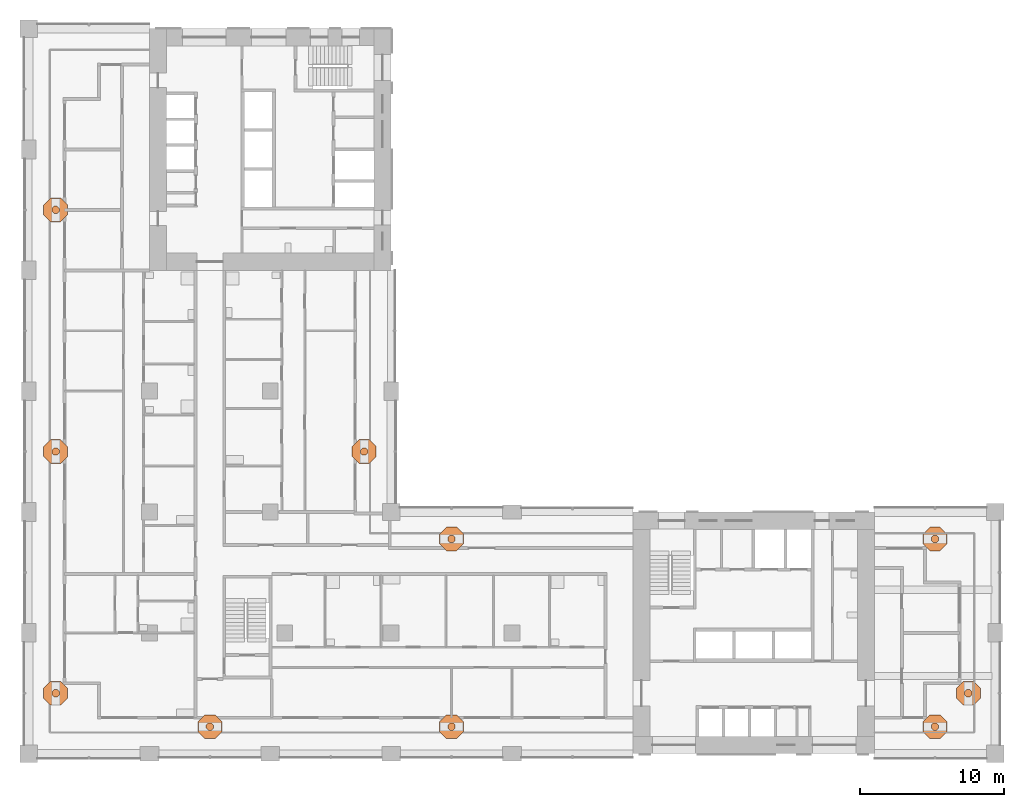
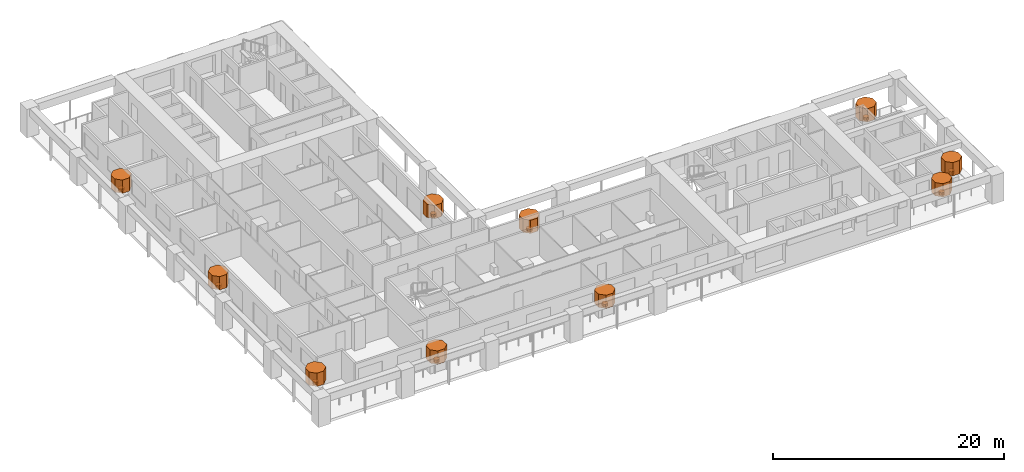
# One storey, part 18 of 18: 20 geographic elements.
"""IFC4 building model written with IfcOpenShell, lengths in metres."""

from ifc_helpers import new_model, si_unit, direction, frame, origin, place, context, subcontext, project, spatial, polyline, outline, extrude, material, element, save


model = new_model("IFC4")

# Units and contexts
model_context = context("Model", 3, precision=1e-05, world=origin(), true_north=direction((0.0, 1.0)))
body_context = subcontext(model_context, "Body", "Model", "MODEL_VIEW")
ifc_project = project(units=[si_unit("LENGTHUNIT", "METRE"), si_unit("AREAUNIT", "SQUARE_METRE"), si_unit("VOLUMEUNIT", "CUBIC_METRE"), si_unit("PLANEANGLEUNIT", "RADIAN"), si_unit("MASSUNIT", "GRAM", prefix="KILO")], contexts=[model_context])

# Site, building, storey
site_placement = place(None, origin())
site = spatial("IfcSite", under=ifc_project, at=site_placement, CompositionType="ELEMENT")
building_placement = place(site_placement, origin())
building = spatial("IfcBuilding", under=site, at=building_placement, Name="Vermilion Gate Residences", CompositionType="ELEMENT")
storey_placement = place(building_placement, frame((0.0, 0.0, 137.199951171875)))
storey = spatial("IfcBuildingStorey", under=building, at=storey_placement, Name="L35", CompositionType="ELEMENT", Elevation=137.199951171875)

# Geographic elements
ifc_material = material(Name="Foliage")
geographic_element_1_placement = place(storey_placement, frame((0.0, 0.0, 0.900146484375)))
element("IfcGeographicElement", 1, at=geographic_element_1_placement, inside=storey, material=ifc_material, Name="Tree (black pine)", ObjectType="TREE", PredefinedType="USERDEFINED", context=body_context, shape_type="SweptSolid", body=[
    extrude(outline(polyline([(12.85400390625, 10.380126953125), (12.705078125, 10.529052734375), (12.494873046875, 10.529052734375), (12.345947265625, 10.380126953125), (12.345947265625, 10.169921875), (12.494873046875, 10.02099609375), (12.705078125, 10.02099609375), (12.85400390625, 10.169921875), (12.85400390625, 10.380126953125)])), origin(), (0.0, 0.0, 1.0), 0.2998046875),
])
geographic_element_2_placement = place(storey_placement, frame((0.0, 0.0, 1.199951171875)))
element("IfcGeographicElement", 2, at=geographic_element_2_placement, inside=storey, material=ifc_material, Name="Tree crown (black pine)", ObjectType="TREE", PredefinedType="USERDEFINED", context=body_context, shape_type="SweptSolid", body=[
    extrude(outline(polyline([(13.431396484375, 10.619384765625), (12.9443359375, 11.1064453125), (12.255615234375, 11.1064453125), (11.7685546875, 10.619384765625), (11.7685546875, 9.9306640625), (12.255615234375, 9.443603515625), (12.9443359375, 9.443603515625), (13.431396484375, 9.9306640625), (13.431396484375, 10.619384765625)])), origin(), (0.0, 0.0, 1.0), 1.400146484375),
])
geographic_element_3_placement = place(storey_placement, frame((0.0, 0.0, 0.900146484375)))
element("IfcGeographicElement", 3, at=geographic_element_3_placement, inside=storey, material=ifc_material, Name="Tree (maple)", ObjectType="TREE", PredefinedType="USERDEFINED", context=body_context, shape_type="SweptSolid", body=[
    extrude(outline(polyline([(29.654052734375, 10.380126953125), (29.505126953125, 10.529052734375), (29.294921875, 10.529052734375), (29.14599609375, 10.380126953125), (29.14599609375, 10.169921875), (29.294921875, 10.02099609375), (29.505126953125, 10.02099609375), (29.654052734375, 10.169921875), (29.654052734375, 10.380126953125)])), origin(), (0.0, 0.0, 1.0), 0.2998046875),
])
geographic_element_4_placement = place(storey_placement, frame((0.0, 0.0, 1.199951171875)))
element("IfcGeographicElement", 4, at=geographic_element_4_placement, inside=storey, material=ifc_material, Name="Tree crown (maple)", ObjectType="TREE", PredefinedType="USERDEFINED", context=body_context, shape_type="SweptSolid", body=[
    extrude(outline(polyline([(30.2314453125, 10.619384765625), (29.744384765625, 11.1064453125), (29.0556640625, 11.1064453125), (28.568603515625, 10.619384765625), (28.568603515625, 9.9306640625), (29.0556640625, 9.443603515625), (29.744384765625, 9.443603515625), (30.2314453125, 9.9306640625), (30.2314453125, 10.619384765625)])), origin(), (0.0, 0.0, 1.0), 1.400146484375),
])
geographic_element_5_placement = place(storey_placement, frame((0.0, 0.0, 0.900146484375)))
element("IfcGeographicElement", 5, at=geographic_element_5_placement, inside=storey, material=ifc_material, Name="Tree (maple)", ObjectType="TREE", PredefinedType="USERDEFINED", context=body_context, shape_type="SweptSolid", body=[
    extrude(outline(polyline([(63.254150390625, 10.380126953125), (63.105224609375, 10.529052734375), (62.894775390625, 10.529052734375), (62.745849609375, 10.380126953125), (62.745849609375, 10.169921875), (62.894775390625, 10.02099609375), (63.105224609375, 10.02099609375), (63.254150390625, 10.169921875), (63.254150390625, 10.380126953125)])), origin(), (0.0, 0.0, 1.0), 0.2998046875),
])
geographic_element_6_placement = place(storey_placement, frame((0.0, 0.0, 1.199951171875)))
element("IfcGeographicElement", 6, at=geographic_element_6_placement, inside=storey, material=ifc_material, Name="Tree crown (maple)", ObjectType="TREE", PredefinedType="USERDEFINED", context=body_context, shape_type="SweptSolid", body=[
    extrude(outline(polyline([(63.83154296875, 10.619384765625), (63.344482421875, 11.1064453125), (62.655517578125, 11.1064453125), (62.16845703125, 10.619384765625), (62.16845703125, 9.9306640625), (62.655517578125, 9.443603515625), (63.344482421875, 9.443603515625), (63.83154296875, 9.9306640625), (63.83154296875, 10.619384765625)])), origin(), (0.0, 0.0, 1.0), 1.400146484375),
])
geographic_element_7_placement = place(storey_placement, frame((0.0, 0.0, 0.900146484375)))
element("IfcGeographicElement", 7, at=geographic_element_7_placement, inside=storey, material=ifc_material, Name="Tree (black pine)", ObjectType="TREE", PredefinedType="USERDEFINED", context=body_context, shape_type="SweptSolid", body=[
    extrude(outline(polyline([(65.5791015625, 12.705078125), (65.43017578125, 12.85400390625), (65.2197265625, 12.85400390625), (65.07080078125, 12.705078125), (65.07080078125, 12.494873046875), (65.2197265625, 12.345947265625), (65.43017578125, 12.345947265625), (65.5791015625, 12.494873046875), (65.5791015625, 12.705078125)])), origin(), (0.0, 0.0, 1.0), 0.2998046875),
])
geographic_element_8_placement = place(storey_placement, frame((0.0, 0.0, 1.199951171875)))
element("IfcGeographicElement", 8, at=geographic_element_8_placement, inside=storey, material=ifc_material, Name="Tree crown (black pine)", ObjectType="TREE", PredefinedType="USERDEFINED", context=body_context, shape_type="SweptSolid", body=[
    extrude(outline(polyline([(66.156494140625, 12.9443359375), (65.66943359375, 13.431396484375), (64.980712890625, 13.431396484375), (64.493408203125, 12.9443359375), (64.493408203125, 12.255615234375), (64.980712890625, 11.7685546875), (65.66943359375, 11.7685546875), (66.156494140625, 12.255615234375), (66.156494140625, 12.9443359375)])), origin(), (0.0, 0.0, 1.0), 1.400146484375),
])
geographic_element_9_placement = place(storey_placement, frame((0.0, 0.0, 0.900146484375)))
element("IfcGeographicElement", 9, at=geographic_element_9_placement, inside=storey, material=ifc_material, Name="Tree (maple)", ObjectType="TREE", PredefinedType="USERDEFINED", context=body_context, shape_type="SweptSolid", body=[
    extrude(outline(polyline([(29.654052734375, 23.43017578125), (29.505126953125, 23.5791015625), (29.294921875, 23.5791015625), (29.14599609375, 23.43017578125), (29.14599609375, 23.2197265625), (29.294921875, 23.07080078125), (29.505126953125, 23.07080078125), (29.654052734375, 23.2197265625), (29.654052734375, 23.43017578125)])), origin(), (0.0, 0.0, 1.0), 0.2998046875),
])
geographic_element_10_placement = place(storey_placement, frame((0.0, 0.0, 1.199951171875)))
element("IfcGeographicElement", 10, at=geographic_element_10_placement, inside=storey, material=ifc_material, Name="Tree crown (maple)", ObjectType="TREE", PredefinedType="USERDEFINED", context=body_context, shape_type="SweptSolid", body=[
    extrude(outline(polyline([(30.2314453125, 23.66943359375), (29.744384765625, 24.156494140625), (29.0556640625, 24.156494140625), (28.568603515625, 23.66943359375), (28.568603515625, 22.980712890625), (29.0556640625, 22.493408203125), (29.744384765625, 22.493408203125), (30.2314453125, 22.980712890625), (30.2314453125, 23.66943359375)])), origin(), (0.0, 0.0, 1.0), 1.400146484375),
])
geographic_element_11_placement = place(storey_placement, frame((0.0, 0.0, 0.900146484375)))
element("IfcGeographicElement", 11, at=geographic_element_11_placement, inside=storey, material=ifc_material, Name="Tree (maple)", ObjectType="TREE", PredefinedType="USERDEFINED", context=body_context, shape_type="SweptSolid", body=[
    extrude(outline(polyline([(63.254150390625, 23.43017578125), (63.105224609375, 23.5791015625), (62.894775390625, 23.5791015625), (62.745849609375, 23.43017578125), (62.745849609375, 23.2197265625), (62.894775390625, 23.07080078125), (63.105224609375, 23.07080078125), (63.254150390625, 23.2197265625), (63.254150390625, 23.43017578125)])), origin(), (0.0, 0.0, 1.0), 0.2998046875),
])
geographic_element_12_placement = place(storey_placement, frame((0.0, 0.0, 1.199951171875)))
element("IfcGeographicElement", 12, at=geographic_element_12_placement, inside=storey, material=ifc_material, Name="Tree crown (maple)", ObjectType="TREE", PredefinedType="USERDEFINED", context=body_context, shape_type="SweptSolid", body=[
    extrude(outline(polyline([(63.83154296875, 23.66943359375), (63.344482421875, 24.156494140625), (62.655517578125, 24.156494140625), (62.16845703125, 23.66943359375), (62.16845703125, 22.980712890625), (62.655517578125, 22.493408203125), (63.344482421875, 22.493408203125), (63.83154296875, 22.980712890625), (63.83154296875, 23.66943359375)])), origin(), (0.0, 0.0, 1.0), 1.400146484375),
])
geographic_element_13_placement = place(storey_placement, frame((0.0, 0.0, 0.900146484375)))
element("IfcGeographicElement", 13, at=geographic_element_13_placement, inside=storey, material=ifc_material, Name="Tree (maple)", ObjectType="TREE", PredefinedType="USERDEFINED", context=body_context, shape_type="SweptSolid", body=[
    extrude(outline(polyline([(23.5791015625, 29.505126953125), (23.43017578125, 29.654052734375), (23.2197265625, 29.654052734375), (23.07080078125, 29.505126953125), (23.07080078125, 29.294921875), (23.2197265625, 29.14599609375), (23.43017578125, 29.14599609375), (23.5791015625, 29.294921875), (23.5791015625, 29.505126953125)])), origin(), (0.0, 0.0, 1.0), 0.2998046875),
])
geographic_element_14_placement = place(storey_placement, frame((0.0, 0.0, 1.199951171875)))
element("IfcGeographicElement", 14, at=geographic_element_14_placement, inside=storey, material=ifc_material, Name="Tree crown (maple)", ObjectType="TREE", PredefinedType="USERDEFINED", context=body_context, shape_type="SweptSolid", body=[
    extrude(outline(polyline([(24.156494140625, 29.744384765625), (23.66943359375, 30.2314453125), (22.980712890625, 30.2314453125), (22.493408203125, 29.744384765625), (22.493408203125, 29.0556640625), (22.980712890625, 28.568603515625), (23.66943359375, 28.568603515625), (24.156494140625, 29.0556640625), (24.156494140625, 29.744384765625)])), origin(), (0.0, 0.0, 1.0), 1.400146484375),
])
geographic_element_15_placement = place(storey_placement, frame((0.0, 0.0, 0.900146484375)))
element("IfcGeographicElement", 15, at=geographic_element_15_placement, inside=storey, material=ifc_material, Name="Tree (black pine)", ObjectType="TREE", PredefinedType="USERDEFINED", context=body_context, shape_type="SweptSolid", body=[
    extrude(outline(polyline([(2.129150390625, 12.705078125), (1.980224609375, 12.85400390625), (1.769775390625, 12.85400390625), (1.620849609375, 12.705078125), (1.620849609375, 12.494873046875), (1.769775390625, 12.345947265625), (1.980224609375, 12.345947265625), (2.129150390625, 12.494873046875), (2.129150390625, 12.705078125)])), origin(), (0.0, 0.0, 1.0), 0.2998046875),
])
geographic_element_16_placement = place(storey_placement, frame((0.0, 0.0, 1.199951171875)))
element("IfcGeographicElement", 16, at=geographic_element_16_placement, inside=storey, material=ifc_material, Name="Tree crown (black pine)", ObjectType="TREE", PredefinedType="USERDEFINED", context=body_context, shape_type="SweptSolid", body=[
    extrude(outline(polyline([(2.70654296875, 12.9443359375), (2.219482421875, 13.431396484375), (1.530517578125, 13.431396484375), (1.04345703125, 12.9443359375), (1.04345703125, 12.255615234375), (1.530517578125, 11.7685546875), (2.219482421875, 11.7685546875), (2.70654296875, 12.255615234375), (2.70654296875, 12.9443359375)])), origin(), (0.0, 0.0, 1.0), 1.400146484375),
])
geographic_element_17_placement = place(storey_placement, frame((0.0, 0.0, 0.900146484375)))
element("IfcGeographicElement", 17, at=geographic_element_17_placement, inside=storey, material=ifc_material, Name="Tree (maple)", ObjectType="TREE", PredefinedType="USERDEFINED", context=body_context, shape_type="SweptSolid", body=[
    extrude(outline(polyline([(2.129150390625, 29.505126953125), (1.980224609375, 29.654052734375), (1.769775390625, 29.654052734375), (1.620849609375, 29.505126953125), (1.620849609375, 29.294921875), (1.769775390625, 29.14599609375), (1.980224609375, 29.14599609375), (2.129150390625, 29.294921875), (2.129150390625, 29.505126953125)])), origin(), (0.0, 0.0, 1.0), 0.2998046875),
])
geographic_element_18_placement = place(storey_placement, frame((0.0, 0.0, 1.199951171875)))
element("IfcGeographicElement", 18, at=geographic_element_18_placement, inside=storey, material=ifc_material, Name="Tree crown (maple)", ObjectType="TREE", PredefinedType="USERDEFINED", context=body_context, shape_type="SweptSolid", body=[
    extrude(outline(polyline([(2.70654296875, 29.744384765625), (2.219482421875, 30.2314453125), (1.530517578125, 30.2314453125), (1.04345703125, 29.744384765625), (1.04345703125, 29.0556640625), (1.530517578125, 28.568603515625), (2.219482421875, 28.568603515625), (2.70654296875, 29.0556640625), (2.70654296875, 29.744384765625)])), origin(), (0.0, 0.0, 1.0), 1.400146484375),
])
geographic_element_19_placement = place(storey_placement, frame((0.0, 0.0, 0.900146484375)))
element("IfcGeographicElement", 19, at=geographic_element_19_placement, inside=storey, material=ifc_material, Name="Tree (black pine)", ObjectType="TREE", PredefinedType="USERDEFINED", context=body_context, shape_type="SweptSolid", body=[
    extrude(outline(polyline([(2.129150390625, 46.30517578125), (1.980224609375, 46.4541015625), (1.769775390625, 46.4541015625), (1.620849609375, 46.30517578125), (1.620849609375, 46.0947265625), (1.769775390625, 45.94580078125), (1.980224609375, 45.94580078125), (2.129150390625, 46.0947265625), (2.129150390625, 46.30517578125)])), origin(), (0.0, 0.0, 1.0), 0.2998046875),
])
geographic_element_20_placement = place(storey_placement, frame((0.0, 0.0, 1.199951171875)))
element("IfcGeographicElement", 20, at=geographic_element_20_placement, inside=storey, material=ifc_material, Name="Tree crown (black pine)", ObjectType="TREE", PredefinedType="USERDEFINED", context=body_context, shape_type="SweptSolid", body=[
    extrude(outline(polyline([(2.70654296875, 46.54443359375), (2.219482421875, 47.031494140625), (1.530517578125, 47.031494140625), (1.04345703125, 46.54443359375), (1.04345703125, 45.855712890625), (1.530517578125, 45.368408203125), (2.219482421875, 45.368408203125), (2.70654296875, 45.855712890625), (2.70654296875, 46.54443359375)])), origin(), (0.0, 0.0, 1.0), 1.400146484375),
])

save(model, "model.ifc")
